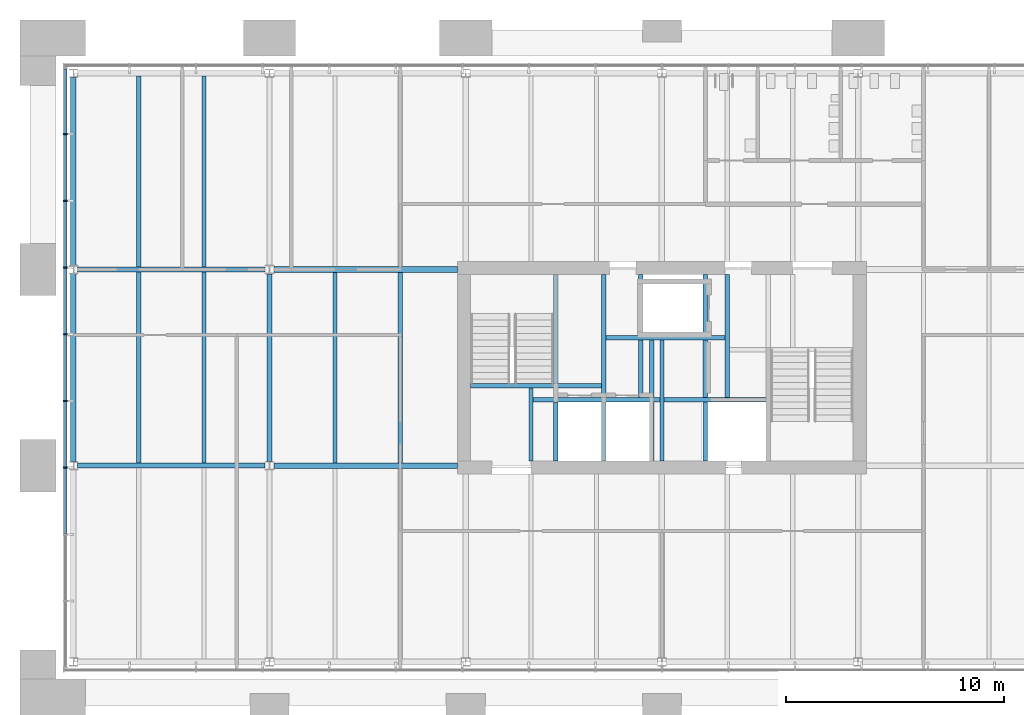
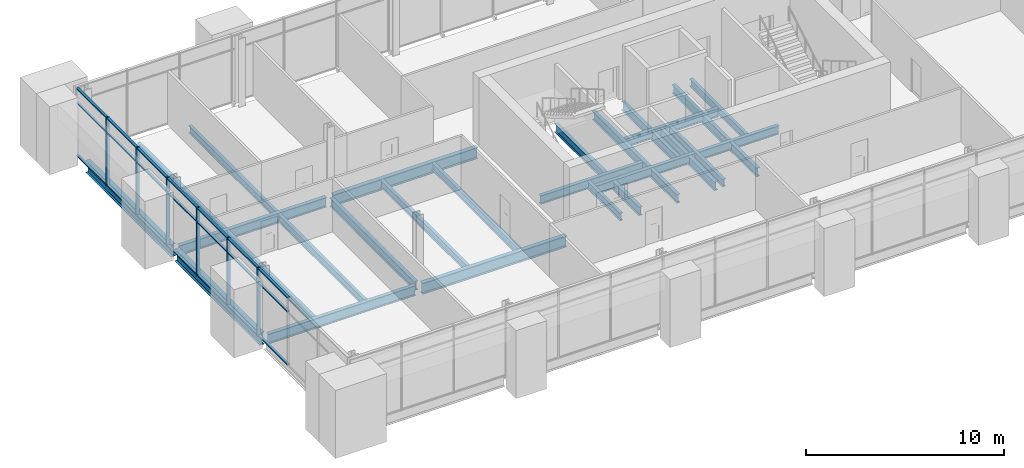
# One storey, part 11 of 43: 31 beams, 27 members, 1 element without a shape of its own.
"""IFC4 building model written with IfcOpenShell, lengths in metres."""

import ifcopenshell
import ifcopenshell.guid

model = None  # the IFC model being written
_history = None  # IfcOwnerHistory: only IFC2X3 demands one
_inside = {}  # id of a spatial element -> (the spatial element, [elements in it])
_under = {}  # id of a project, library or spatial element -> (it, [spatial elements below it])
_declared = {}  # id of a project -> (the project, [libraries it declares])
_typed = {}  # id of a type object -> (the type object, [elements of that type])
_made_of = {}  # id of a material, layer set ... -> (it, [elements and type objects made of it])


def new_model(schema):
    """Start an empty IFC model of exactly this schema.

    Asked for "IFC4X3", IfcOpenShell would pick the latest addendum, in which some entities
    have other attributes; the version numbers below select the first issue.
    IFC2X3 requires an IfcOwnerHistory on every rooted entity: one is made here for all.
    """
    global model, _history
    if schema == "IFC4X3":
        model = ifcopenshell.file(schema_version=(4, 3, 0, 0))
    else:
        model = ifcopenshell.file(schema=schema)
    _inside.clear()
    _under.clear()
    _declared.clear()
    _typed.clear()
    _made_of.clear()
    _history = None
    if model.schema == "IFC2X3":
        org = make("IfcOrganization", Name="unknown")
        user = make(
            "IfcPersonAndOrganization",
            ThePerson=make("IfcPerson", FamilyName="unknown"),
            TheOrganization=org,
        )
        app = make(
            "IfcApplication",
            ApplicationDeveloper=org,
            Version="unknown",
            ApplicationFullName="unknown",
            ApplicationIdentifier="unknown",
        )
        _history = make(
            "IfcOwnerHistory",
            OwningUser=user,
            OwningApplication=app,
            ChangeAction="ADDED",
            CreationDate=0,
        )
    return model


def make(cls, **values):
    """One entity of the class cls with the attributes given. An attribute that is None is left unset."""
    return model.create_entity(
        cls, **{name: value for name, value in values.items() if value is not None}
    )


def rooted(cls, **values):
    """An entity with a GlobalId (a new one), such as an element, a storey or a relation."""
    return make(cls, GlobalId=ifcopenshell.guid.new(), OwnerHistory=_history, **values)


def si_unit(unit_type, name, prefix=None):
    """IfcSIUnit, for example si_unit("LENGTHUNIT", "METRE", prefix="MILLI")."""
    return make("IfcSIUnit", UnitType=unit_type, Prefix=prefix, Name=name)


def assignment(units):
    """IfcUnitAssignment: the units of a project."""
    return None if units is None else make("IfcUnitAssignment", Units=units)


def point(xyz):
    """IfcCartesianPoint."""
    return None if xyz is None else make("IfcCartesianPoint", Coordinates=xyz)


def direction(xyz):
    """IfcDirection."""
    return None if xyz is None else make("IfcDirection", DirectionRatios=xyz)


def frame(location, z_axis=None, x_axis=None):
    """IfcAxis2Placement3D, a coordinate frame: its origin and axes. An axis left out is left unset."""
    return make(
        "IfcAxis2Placement3D",
        Location=point(location),
        Axis=direction(z_axis),
        RefDirection=direction(x_axis),
    )


def frame_2d(location, x_axis=None):
    """IfcAxis2Placement2D, a coordinate frame in the plane: its origin and x axis."""
    return make(
        "IfcAxis2Placement2D", Location=point(location), RefDirection=direction(x_axis)
    )


def origin():
    """The frame at (0, 0, 0) with its axes left unset."""
    return frame((0.0, 0.0, 0.0))


def origin_2d():
    """The frame at (0, 0) in the plane with its x axis left unset."""
    return frame_2d((0.0, 0.0))


def place(relative_to, where):
    """IfcLocalPlacement: puts the frame where relative to a parent placement (None: the world)."""
    return make(
        "IfcLocalPlacement", PlacementRelTo=relative_to, RelativePlacement=where
    )


def context(
    kind, dimensions, precision=None, world=None, true_north=None, identifier=None
):
    """IfcGeometricRepresentationContext, for example the 3D "Model" context."""
    return make(
        "IfcGeometricRepresentationContext",
        ContextIdentifier=identifier,
        ContextType=kind,
        CoordinateSpaceDimension=dimensions,
        Precision=precision,
        WorldCoordinateSystem=world,
        TrueNorth=true_north,
    )


def subcontext(parent, identifier, kind, view, scale=None):
    """IfcGeometricRepresentationSubContext, for example "Body" below "Model"."""
    return make(
        "IfcGeometricRepresentationSubContext",
        ContextIdentifier=identifier,
        ContextType=kind,
        ParentContext=parent,
        TargetScale=scale,
        TargetView=view,
    )


def project(units=None, contexts=None):
    """IfcProject with its units and contexts."""
    return rooted(
        "IfcProject",
        Name="project",
        RepresentationContexts=contexts,
        UnitsInContext=assignment(units),
    )


def spatial(cls, under=None, at=None, **own):
    """A site, building, storey or space (cls), placed at a placement, below another one or the project."""
    s = rooted(cls, ObjectPlacement=at, **own)
    if under is not None:
        _under.setdefault(under.id(), (under, []))[1].append(s)
    return s


def profile(cls, at=None, kind="AREA", **sizes):
    """A parametric profile (cls). Its sizes go by their IFC names, for example OverallWidth=200.0."""
    return make(cls, ProfileType=kind, Position=at, **sizes)


def rectangle(**sizes):
    """IfcRectangleProfileDef."""
    return profile("IfcRectangleProfileDef", **sizes)


def i_section(**sizes):
    """IfcIShapeProfileDef."""
    return profile("IfcIShapeProfileDef", **sizes)


def extrude(swept, where, along, depth):
    """IfcExtrudedAreaSolid: the profile swept, set in the frame where, extruded along a direction by depth."""
    return make(
        "IfcExtrudedAreaSolid",
        SweptArea=swept,
        Position=where,
        ExtrudedDirection=direction(along),
        Depth=depth,
    )


def shape(context_of_items, identifier, shape_type, items):
    """IfcShapeRepresentation: the items that make up one representation, for example the "Body"."""
    return make(
        "IfcShapeRepresentation",
        ContextOfItems=context_of_items,
        RepresentationIdentifier=identifier,
        RepresentationType=shape_type,
        Items=items,
    )


def material(Name=None, Category=None):
    """IfcMaterial."""
    return make("IfcMaterial", Name=Name, Category=Category)


def material_profile(
    of_material, cross_section, Name=None, Category=None, Priority=None
):
    """IfcMaterialProfile: a cross section and its material."""
    return make(
        "IfcMaterialProfile",
        Name=Name,
        Material=of_material,
        Profile=cross_section,
        Priority=Priority,
        Category=Category,
    )


def profile_set(profiles, Name=None, composite=None):
    """IfcMaterialProfileSet."""
    return make(
        "IfcMaterialProfileSet",
        Name=Name,
        MaterialProfiles=profiles,
        CompositeProfile=composite,
    )


def made_of(thing, what):
    """Note that an element or type object is made of a material, layer set ...; save() writes the relation."""
    if what is not None:
        _made_of.setdefault(what.id(), (what, []))[1].append(thing)
    return thing


def type_object(cls, material=None, **own):
    """A type object (cls), such as IfcWallType, which elements share."""
    return made_of(rooted(cls, **own), material)


def element(
    cls,
    number,
    at=None,
    inside=None,
    cuts=None,
    type_object=None,
    material=None,
    context=None,
    identifier="Body",
    shape_type=None,
    held_by="IfcProductDefinitionShape",
    body=None,
    shapes=None,
    **own,
):
    """One element of the class cls, such as IfcWall. Its Tag is "e" and its number.

    at: its placement. inside: the storey or other place that contains it. cuts: it is an
    opening in that element (IfcRelVoidsElement). A single representation is given by context,
    identifier, shape_type and body (its items); several are given by shapes. held_by: the class
    of the entity that holds the representations. save() writes the other relations.
    """
    e = rooted(cls, Tag="e%d" % number, ObjectPlacement=at, **own)
    if body is not None:
        shapes = [shape(context, identifier, shape_type, body)]
    if shapes is not None:
        e.Representation = make(held_by, Representations=shapes)
    if inside is not None:
        _inside.setdefault(inside.id(), (inside, []))[1].append(e)
    if cuts is not None:
        rooted(
            "IfcRelVoidsElement", RelatingBuildingElement=cuts, RelatedOpeningElement=e
        )
    if type_object is not None:
        _typed.setdefault(type_object.id(), (type_object, []))[1].append(e)
    return made_of(e, material)


def aggregate(whole, parts):
    """IfcRelAggregates: a whole, such as a stair, and the parts it consists of."""
    return rooted("IfcRelAggregates", RelatingObject=whole, RelatedObjects=parts)


def save(model, path):
    """Write the relations noted so far, then the file.

    IfcRelAggregates (storeys below a building ...), IfcRelContainedInSpatialStructure (elements
    in a storey), IfcRelDefinesByType, IfcRelAssociatesMaterial and IfcRelDeclares: one each for
    every whole, place, type object, material and project.
    """
    for whole, parts in _under.values():
        aggregate(whole, parts)
    for where, things in _inside.values():
        rooted(
            "IfcRelContainedInSpatialStructure",
            RelatedElements=things,
            RelatingStructure=where,
        )
    for kind, things in _typed.values():
        rooted("IfcRelDefinesByType", RelatedObjects=things, RelatingType=kind)
    for what, things in _made_of.values():
        rooted("IfcRelAssociatesMaterial", RelatedObjects=things, RelatingMaterial=what)
    for by, libraries in _declared.values():
        rooted("IfcRelDeclares", RelatingContext=by, RelatedDefinitions=libraries)
    model.write(path)


model = new_model("IFC4")

# Units and contexts
model_context = context("Model", 3, precision=1e-05, world=origin(), true_north=direction((0.0, 1.0)))
body_context = subcontext(model_context, "Body", "Model", "MODEL_VIEW")
ifc_project = project(units=[si_unit("LENGTHUNIT", "METRE"), si_unit("AREAUNIT", "SQUARE_METRE"), si_unit("VOLUMEUNIT", "CUBIC_METRE"), si_unit("PLANEANGLEUNIT", "RADIAN"), si_unit("MASSUNIT", "GRAM", prefix="KILO")], contexts=[model_context])

# Site, building, storey
site_placement = place(None, origin())
site = spatial("IfcSite", under=ifc_project, at=site_placement, CompositionType="ELEMENT")
building_placement = place(site_placement, origin())
building = spatial("IfcBuilding", under=site, at=building_placement, Name="Baradari Gate Terminus", CompositionType="ELEMENT")
storey_placement = place(building_placement, frame((0.0, 0.0, 20.10009765625)))
storey = spatial("IfcBuildingStorey", under=building, at=storey_placement, Name="L04", CompositionType="ELEMENT", Elevation=20.10009765625)

# Beams
ifc_material_1 = material(Name="Steel S355", Category="steel")
ifc_material_profile_1 = material_profile(ifc_material_1, i_section(OverallWidth=0.19140625, OverallDepth=0.4599609375, WebThickness=0.010009765625, FlangeThickness=0.01611328125, FilletRadius=0.01025390625, at=origin_2d()), Name="UB 457x191x82")
ifc_profile_set_1 = profile_set([ifc_material_profile_1], Name="Steel S355")
beam_type_1 = type_object("IfcBeamType", Name="Core floor beam B23 UB 457x191x82", PredefinedType="BEAM", material=ifc_profile_set_1)
beam_1_placement = place(storey_placement, frame((30.0, 126.22509765625, -0.360107421875), z_axis=(0.0, 1.0, 0.0), x_axis=(-1.0, 0.0, 0.0)))
element("IfcBeam", 1, at=beam_1_placement, inside=storey, type_object=beam_type_1, Name="Core floor beam B23 30:126.225-129.57 L04", PredefinedType="BEAM", context=body_context, shape_type="SweptSolid", body=[
    extrude(i_section(OverallWidth=0.19140625, OverallDepth=0.4599609375, WebThickness=0.010009765625, FlangeThickness=0.01611328125, FilletRadius=0.01025390625, at=origin_2d()), origin(), (0.0, 0.0, 1.0), 3.34521484375),
])
beam_2_placement = place(storey_placement, frame((36.0, 126.22509765625, -0.360107421875), z_axis=(0.0, 1.0, 0.0), x_axis=(-1.0, 0.0, 0.0)))
element("IfcBeam", 2, at=beam_2_placement, inside=storey, type_object=beam_type_1, Name="Core floor beam B23 5:126.225-131.77 L04", PredefinedType="BEAM", context=body_context, shape_type="SweptSolid", body=[
    extrude(i_section(OverallWidth=0.19140625, OverallDepth=0.4599609375, WebThickness=0.010009765625, FlangeThickness=0.01611328125, FilletRadius=0.01025390625, at=origin_2d()), origin(), (0.0, 0.0, 1.0), 5.54541015625),
])
beam_3_placement = place(storey_placement, frame((39.0, 129.129638671875, -0.360107421875), z_axis=(0.0, 1.0, 0.0), x_axis=(-1.0, 0.0, 0.0)))
element("IfcBeam", 3, at=beam_3_placement, inside=storey, type_object=beam_type_1, Name="Core floor beam B23 39:129.13-134.775 L04", PredefinedType="BEAM", context=body_context, shape_type="SweptSolid", body=[
    extrude(i_section(OverallWidth=0.19140625, OverallDepth=0.4599609375, WebThickness=0.010009765625, FlangeThickness=0.01611328125, FilletRadius=0.01025390625, at=origin_2d()), origin(), (0.0, 0.0, 1.0), 5.645263671875),
])
ifc_material_2 = material(Name="Steel S355", Category="steel")
ifc_material_profile_2 = material_profile(ifc_material_2, i_section(OverallWidth=0.209228515625, OverallDepth=0.533203125, WebThickness=0.010009765625, FlangeThickness=0.015625, FilletRadius=0.0126953125, at=origin_2d()), Name="UB 533x210x92")
ifc_profile_set_2 = profile_set([ifc_material_profile_2], Name="Steel S355")
beam_type_2 = type_object("IfcBeamType", Name="Core floor trimmer beam B22 UB 533x210x92", PredefinedType="BEAM", material=ifc_profile_set_2)
beam_4_placement = place(storey_placement, frame((30.095703125, 129.02490234375, -0.396728515625), z_axis=(1.0, 0.0, 0.0), x_axis=(0.0, 1.0, 0.0)))
element("IfcBeam", 4, at=beam_4_placement, inside=storey, type_object=beam_type_2, Name="Core floor trimmer beam B22 129.025:30.096-35.904 L04", PredefinedType="BEAM", context=body_context, shape_type="SweptSolid", body=[
    extrude(i_section(OverallWidth=0.209228515625, OverallDepth=0.533203125, WebThickness=0.010009765625, FlangeThickness=0.015625, FilletRadius=0.0126953125, at=origin_2d()), origin(), (0.0, 0.0, 1.0), 5.80859375),
])
beam_5_placement = place(storey_placement, frame((36.095703125, 129.02490234375, -0.396728515625), z_axis=(1.0, 0.0, 0.0), x_axis=(0.0, 1.0, 0.0)))
element("IfcBeam", 5, at=beam_5_placement, inside=storey, type_object=beam_type_2, Name="Core floor trimmer beam B22 129.025:36.096-40.77 L04", PredefinedType="BEAM", context=body_context, shape_type="SweptSolid", body=[
    extrude(i_section(OverallWidth=0.209228515625, OverallDepth=0.533203125, WebThickness=0.010009765625, FlangeThickness=0.015625, FilletRadius=0.0126953125, at=origin_2d()), origin(), (0.0, 0.0, 1.0), 4.6748046875),
])
beam_6_placement = place(storey_placement, frame((27.22509765625, 129.675048828125, -0.396728515625), z_axis=(1.0, 0.0, 0.0), x_axis=(0.0, 1.0, 0.0)))
element("IfcBeam", 6, at=beam_6_placement, inside=storey, type_object=beam_type_2, Name="Core floor trimmer beam B22 129.675:27.225-33.22 L04", PredefinedType="BEAM", context=body_context, shape_type="SweptSolid", body=[
    extrude(i_section(OverallWidth=0.209228515625, OverallDepth=0.533203125, WebThickness=0.010009765625, FlangeThickness=0.015625, FilletRadius=0.0126953125, at=origin_2d()), origin(), (0.0, 0.0, 1.0), 5.995361328125),
])
beam_7_placement = place(storey_placement, frame((33.4296875, 131.875, -0.396728515625), z_axis=(1.0, 0.0, 0.0), x_axis=(0.0, 1.0, 0.0)))
element("IfcBeam", 7, at=beam_7_placement, inside=storey, type_object=beam_type_2, Name="Core floor trimmer beam B22 131.875:33.43-38.904 L04", PredefinedType="BEAM", context=body_context, shape_type="SweptSolid", body=[
    extrude(i_section(OverallWidth=0.209228515625, OverallDepth=0.533203125, WebThickness=0.010009765625, FlangeThickness=0.015625, FilletRadius=0.0126953125, at=origin_2d()), origin(), (0.0, 0.0, 1.0), 5.474609375),
])
for number, where, z_axis, x_axis, name in (
    (8, (31.125, 126.22509765625, -0.396728515625), (0.0, 1.0, 0.0), (-1.0, 0.0, 0.0), "Core floor trimmer beam B22 31.125:126.225-128.92 L04"),
    (9, (33.324951171875, 126.22509765625, -0.396728515625), (0.0, 1.0, 0.0), (-1.0, 0.0, 0.0), "Core floor trimmer beam B22 33.325:126.225-128.92 L04"),
):
    element("IfcBeam", number, at=place(storey_placement, frame(where, z_axis=z_axis, x_axis=x_axis)), inside=storey, type_object=beam_type_2, Name=name, PredefinedType="BEAM", context=body_context, shape_type="SweptSolid", body=[
        extrude(i_section(OverallWidth=0.209228515625, OverallDepth=0.533203125, WebThickness=0.010009765625, FlangeThickness=0.015625, FilletRadius=0.0126953125, at=origin_2d()), origin(), (0.0, 0.0, 1.0), 2.6953125),
    ])
beam_8_placement = place(storey_placement, frame((33.324951171875, 129.129638671875, -0.396728515625), z_axis=(0.0, 1.0, 0.0), x_axis=(-1.0, 0.0, 0.0)))
element("IfcBeam", 10, at=beam_8_placement, inside=storey, type_object=beam_type_2, Name="Core floor trimmer beam B22 33.325:129.13-134.775 L04", PredefinedType="BEAM", context=body_context, shape_type="SweptSolid", body=[
    extrude(i_section(OverallWidth=0.209228515625, OverallDepth=0.533203125, WebThickness=0.010009765625, FlangeThickness=0.015625, FilletRadius=0.0126953125, at=origin_2d()), origin(), (0.0, 0.0, 1.0), 5.645263671875),
])
beam_9_placement = place(storey_placement, frame((35.530029296875, 126.22509765625, -0.396728515625), z_axis=(0.0, 1.0, 0.0), x_axis=(-1.0, 0.0, 0.0)))
element("IfcBeam", 11, at=beam_9_placement, inside=storey, type_object=beam_type_2, Name="Core floor trimmer beam B22 35.53:126.225-128.92 L04", PredefinedType="BEAM", context=body_context, shape_type="SweptSolid", body=[
    extrude(i_section(OverallWidth=0.209228515625, OverallDepth=0.533203125, WebThickness=0.010009765625, FlangeThickness=0.015625, FilletRadius=0.0126953125, at=origin_2d()), origin(), (0.0, 0.0, 1.0), 2.6953125),
])
beam_10_placement = place(storey_placement, frame((35.530029296875, 129.129638671875, -0.396728515625), z_axis=(0.0, 1.0, 0.0), x_axis=(-1.0, 0.0, 0.0)))
element("IfcBeam", 12, at=beam_10_placement, inside=storey, type_object=beam_type_2, Name="Core floor trimmer beam B22 35.53:129.13-131.77 L04", PredefinedType="BEAM", context=body_context, shape_type="SweptSolid", body=[
    extrude(i_section(OverallWidth=0.209228515625, OverallDepth=0.533203125, WebThickness=0.010009765625, FlangeThickness=0.015625, FilletRadius=0.0126953125, at=origin_2d()), origin(), (0.0, 0.0, 1.0), 2.640869140625),
])
beam_11_placement = place(storey_placement, frame((37.97802734375, 126.22509765625, -0.396728515625), z_axis=(0.0, 1.0, 0.0), x_axis=(-1.0, 0.0, 0.0)))
element("IfcBeam", 13, at=beam_11_placement, inside=storey, type_object=beam_type_2, Name="Core floor trimmer beam B22 37.978:126.225-128.92 L04", PredefinedType="BEAM", context=body_context, shape_type="SweptSolid", body=[
    extrude(i_section(OverallWidth=0.209228515625, OverallDepth=0.533203125, WebThickness=0.010009765625, FlangeThickness=0.015625, FilletRadius=0.0126953125, at=origin_2d()), origin(), (0.0, 0.0, 1.0), 2.6953125),
])
beam_12_placement = place(storey_placement, frame((31.125, 129.77978515625, -0.396728515625), z_axis=(0.0, 1.0, 0.0), x_axis=(-1.0, 0.0, 0.0)))
element("IfcBeam", 14, at=beam_12_placement, inside=storey, type_object=beam_type_2, Name="Core floor trimmer beam B22 31.125:129.78-134.775 L04", PredefinedType="BEAM", context=body_context, shape_type="SweptSolid", body=[
    extrude(i_section(OverallWidth=0.209228515625, OverallDepth=0.533203125, WebThickness=0.010009765625, FlangeThickness=0.015625, FilletRadius=0.0126953125, at=origin_2d()), origin(), (0.0, 0.0, 1.0), 4.9951171875),
])
beam_13_placement = place(storey_placement, frame((35.02001953125, 129.129638671875, -0.396728515625), z_axis=(0.0, 1.0, 0.0), x_axis=(-1.0, 0.0, 0.0)))
element("IfcBeam", 15, at=beam_13_placement, inside=storey, type_object=beam_type_2, Name="Core floor trimmer beam B22 35.02:129.13-131.77 L04", PredefinedType="BEAM", context=body_context, shape_type="SweptSolid", body=[
    extrude(i_section(OverallWidth=0.209228515625, OverallDepth=0.533203125, WebThickness=0.010009765625, FlangeThickness=0.015625, FilletRadius=0.0126953125, at=origin_2d()), origin(), (0.0, 0.0, 1.0), 2.640869140625),
])
beam_14_placement = place(storey_placement, frame((35.02001953125, 131.9794921875, -0.396728515625), z_axis=(0.0, 1.0, 0.0), x_axis=(-1.0, 0.0, 0.0)))
element("IfcBeam", 16, at=beam_14_placement, inside=storey, type_object=beam_type_2, Name="Core floor trimmer beam B22 35.02:131.98-134.775 L04", PredefinedType="BEAM", context=body_context, shape_type="SweptSolid", body=[
    extrude(i_section(OverallWidth=0.209228515625, OverallDepth=0.533203125, WebThickness=0.010009765625, FlangeThickness=0.015625, FilletRadius=0.0126953125, at=origin_2d()), origin(), (0.0, 0.0, 1.0), 2.79541015625),
])
beam_15_placement = place(storey_placement, frame((37.97802734375, 129.129638671875, -0.396728515625), z_axis=(0.0, 1.0, 0.0), x_axis=(-1.0, 0.0, 0.0)))
element("IfcBeam", 17, at=beam_15_placement, inside=storey, type_object=beam_type_2, Name="Core floor trimmer beam B22 37.978:129.13-131.77 L04", PredefinedType="BEAM", context=body_context, shape_type="SweptSolid", body=[
    extrude(i_section(OverallWidth=0.209228515625, OverallDepth=0.533203125, WebThickness=0.010009765625, FlangeThickness=0.015625, FilletRadius=0.0126953125, at=origin_2d()), origin(), (0.0, 0.0, 1.0), 2.640869140625),
])
beam_16_placement = place(storey_placement, frame((37.97802734375, 131.9794921875, -0.396728515625), z_axis=(0.0, 1.0, 0.0), x_axis=(-1.0, 0.0, 0.0)))
element("IfcBeam", 18, at=beam_16_placement, inside=storey, type_object=beam_type_2, Name="Core floor trimmer beam B22 37.978:131.98-134.775 L04", PredefinedType="BEAM", context=body_context, shape_type="SweptSolid", body=[
    extrude(i_section(OverallWidth=0.209228515625, OverallDepth=0.533203125, WebThickness=0.010009765625, FlangeThickness=0.015625, FilletRadius=0.0126953125, at=origin_2d()), origin(), (0.0, 0.0, 1.0), 2.79541015625),
])

# Curtain wall, members
ifc_material_3 = material(Name="Aluminium 6063-T6", Category="aluminium")
curtain_wall_type = type_object("IfcCurtainWallType", Name="Curtain wall CW-1 block unitised, zone L02-L05", PredefinedType="NOTDEFINED", material=ifc_material_3)
curtain_wall_placement = place(storey_placement, origin())
curtain_wall = element("IfcCurtainWall", 19, at=curtain_wall_placement, inside=storey, type_object=curtain_wall_type, Name="Curtain wall CW-1 Operations block W face L04", PredefinedType="NOTDEFINED")
ifc_material_4 = material(Name="Aluminium 6063-T6", Category="aluminium")
ifc_material_profile_3 = material_profile(ifc_material_4, rectangle(XDim=0.199951171875, YDim=0.06494140625, at=origin_2d()), Name="CM-1 65X200")
ifc_profile_set_3 = profile_set([ifc_material_profile_3], Name="Aluminium 6063-T6")
member_type_1 = type_object("IfcMemberType", Name="Curtain wall mullion CM-1 65x200", PredefinedType="MULLION", material=ifc_profile_set_3)
member_1_placement = place(storey_placement, frame((8.6298828125, 125.909912109375, 0.0), z_axis=(0.0, 0.0, 1.0), x_axis=(-1.0, 0.0, 0.0)))
member_1 = element("IfcMember", 20, at=member_1_placement, type_object=member_type_1, Name="CW-1 mullion 4", PredefinedType="MULLION", context=body_context, shape_type="SweptSolid", body=[
    extrude(rectangle(XDim=0.199951171875, YDim=0.06494140625, at=origin_2d()), origin(), (0.0, 0.0, 1.0), 4.199951171875),
])
member_2_placement = place(storey_placement, frame((8.6298828125, 128.969970703125, 0.0), z_axis=(0.0, 0.0, 1.0), x_axis=(-1.0, 0.0, 0.0)))
member_2 = element("IfcMember", 21, at=member_2_placement, type_object=member_type_1, Name="CW-1 mullion 5", PredefinedType="MULLION", context=body_context, shape_type="SweptSolid", body=[
    extrude(rectangle(XDim=0.199951171875, YDim=0.06494140625, at=origin_2d()), origin(), (0.0, 0.0, 1.0), 4.199951171875),
])
member_3_placement = place(storey_placement, frame((8.6298828125, 132.030029296875, 0.0), z_axis=(0.0, 0.0, 1.0), x_axis=(-1.0, 0.0, 0.0)))
member_3 = element("IfcMember", 22, at=member_3_placement, type_object=member_type_1, Name="CW-1 mullion 6", PredefinedType="MULLION", context=body_context, shape_type="SweptSolid", body=[
    extrude(rectangle(XDim=0.199951171875, YDim=0.06494140625, at=origin_2d()), origin(), (0.0, 0.0, 1.0), 4.199951171875),
])
member_4_placement = place(storey_placement, frame((8.6298828125, 135.090087890625, 0.0), z_axis=(0.0, 0.0, 1.0), x_axis=(-1.0, 0.0, 0.0)))
member_4 = element("IfcMember", 23, at=member_4_placement, type_object=member_type_1, Name="CW-1 mullion 7", PredefinedType="MULLION", context=body_context, shape_type="SweptSolid", body=[
    extrude(rectangle(XDim=0.199951171875, YDim=0.06494140625, at=origin_2d()), origin(), (0.0, 0.0, 1.0), 4.199951171875),
])
member_5_placement = place(storey_placement, frame((8.6298828125, 138.14990234375, 0.0), z_axis=(0.0, 0.0, 1.0), x_axis=(-1.0, 0.0, 0.0)))
member_5 = element("IfcMember", 24, at=member_5_placement, type_object=member_type_1, Name="CW-1 mullion 8", PredefinedType="MULLION", context=body_context, shape_type="SweptSolid", body=[
    extrude(rectangle(XDim=0.199951171875, YDim=0.06494140625, at=origin_2d()), origin(), (0.0, 0.0, 1.0), 4.199951171875),
])
member_6_placement = place(storey_placement, frame((8.6298828125, 141.2099609375, 0.0), z_axis=(0.0, 0.0, 1.0), x_axis=(-1.0, 0.0, 0.0)))
member_6 = element("IfcMember", 25, at=member_6_placement, type_object=member_type_1, Name="CW-1 mullion 9", PredefinedType="MULLION", context=body_context, shape_type="SweptSolid", body=[
    extrude(rectangle(XDim=0.199951171875, YDim=0.06494140625, at=origin_2d()), origin(), (0.0, 0.0, 1.0), 4.199951171875),
])
ifc_material_5 = material(Name="Aluminium 6063-T6", Category="aluminium")
ifc_material_profile_4 = material_profile(ifc_material_5, rectangle(XDim=0.14990234375, YDim=0.06494140625, at=origin_2d()), Name="CT-1 65X150")
ifc_profile_set_4 = profile_set([ifc_material_profile_4], Name="Aluminium 6063-T6")
member_type_2 = type_object("IfcMemberType", Name="Curtain wall transom CT-1 65x150", PredefinedType="USERDEFINED", material=ifc_profile_set_4)
member_7_placement = place(storey_placement, frame((8.6298828125, 122.882568359375, 0.032470703125), z_axis=(0.0, 1.0, 0.0), x_axis=(-1.0, 0.0, 0.0)))
member_7 = element("IfcMember", 26, at=member_7_placement, type_object=member_type_2, Name="CW-1 transom 3.1", ObjectType="TRANSOM", PredefinedType="USERDEFINED", context=body_context, shape_type="SweptSolid", body=[
    extrude(rectangle(XDim=0.14990234375, YDim=0.06494140625, at=origin_2d()), origin(), (0.0, 0.0, 1.0), 2.994873046875),
])
member_8_placement = place(storey_placement, frame((8.6298828125, 122.882568359375, 3.2998046875), z_axis=(0.0, 1.0, 0.0), x_axis=(-1.0, 0.0, 0.0)))
member_8 = element("IfcMember", 27, at=member_8_placement, type_object=member_type_2, Name="CW-1 transom 3.2", ObjectType="TRANSOM", PredefinedType="USERDEFINED", context=body_context, shape_type="SweptSolid", body=[
    extrude(rectangle(XDim=0.14990234375, YDim=0.06494140625, at=origin_2d()), origin(), (0.0, 0.0, 1.0), 2.994873046875),
])
member_9_placement = place(storey_placement, frame((8.6298828125, 122.882568359375, 4.16748046875), z_axis=(0.0, 1.0, 0.0), x_axis=(-1.0, 0.0, 0.0)))
member_9 = element("IfcMember", 28, at=member_9_placement, type_object=member_type_2, Name="CW-1 transom 3.3", ObjectType="TRANSOM", PredefinedType="USERDEFINED", context=body_context, shape_type="SweptSolid", body=[
    extrude(rectangle(XDim=0.14990234375, YDim=0.06494140625, at=origin_2d()), origin(), (0.0, 0.0, 1.0), 2.994873046875),
])
member_10_placement = place(storey_placement, frame((8.6298828125, 125.9423828125, 0.032470703125), z_axis=(0.0, 1.0, 0.0), x_axis=(-1.0, 0.0, 0.0)))
member_10 = element("IfcMember", 29, at=member_10_placement, type_object=member_type_2, Name="CW-1 transom 4.1", ObjectType="TRANSOM", PredefinedType="USERDEFINED", context=body_context, shape_type="SweptSolid", body=[
    extrude(rectangle(XDim=0.14990234375, YDim=0.06494140625, at=origin_2d()), origin(), (0.0, 0.0, 1.0), 2.9951171875),
])
member_11_placement = place(storey_placement, frame((8.6298828125, 125.9423828125, 3.2998046875), z_axis=(0.0, 1.0, 0.0), x_axis=(-1.0, 0.0, 0.0)))
member_11 = element("IfcMember", 30, at=member_11_placement, type_object=member_type_2, Name="CW-1 transom 4.2", ObjectType="TRANSOM", PredefinedType="USERDEFINED", context=body_context, shape_type="SweptSolid", body=[
    extrude(rectangle(XDim=0.14990234375, YDim=0.06494140625, at=origin_2d()), origin(), (0.0, 0.0, 1.0), 2.9951171875),
])
member_12_placement = place(storey_placement, frame((8.6298828125, 125.9423828125, 4.16748046875), z_axis=(0.0, 1.0, 0.0), x_axis=(-1.0, 0.0, 0.0)))
member_12 = element("IfcMember", 31, at=member_12_placement, type_object=member_type_2, Name="CW-1 transom 4.3", ObjectType="TRANSOM", PredefinedType="USERDEFINED", context=body_context, shape_type="SweptSolid", body=[
    extrude(rectangle(XDim=0.14990234375, YDim=0.06494140625, at=origin_2d()), origin(), (0.0, 0.0, 1.0), 2.9951171875),
])
member_13_placement = place(storey_placement, frame((8.6298828125, 129.00244140625, 0.032470703125), z_axis=(0.0, 1.0, 0.0), x_axis=(-1.0, 0.0, 0.0)))
member_13 = element("IfcMember", 32, at=member_13_placement, type_object=member_type_2, Name="CW-1 transom 5.1", ObjectType="TRANSOM", PredefinedType="USERDEFINED", context=body_context, shape_type="SweptSolid", body=[
    extrude(rectangle(XDim=0.14990234375, YDim=0.06494140625, at=origin_2d()), origin(), (0.0, 0.0, 1.0), 2.9951171875),
])
member_14_placement = place(storey_placement, frame((8.6298828125, 129.00244140625, 3.2998046875), z_axis=(0.0, 1.0, 0.0), x_axis=(-1.0, 0.0, 0.0)))
member_14 = element("IfcMember", 33, at=member_14_placement, type_object=member_type_2, Name="CW-1 transom 5.2", ObjectType="TRANSOM", PredefinedType="USERDEFINED", context=body_context, shape_type="SweptSolid", body=[
    extrude(rectangle(XDim=0.14990234375, YDim=0.06494140625, at=origin_2d()), origin(), (0.0, 0.0, 1.0), 2.9951171875),
])
member_15_placement = place(storey_placement, frame((8.6298828125, 129.00244140625, 4.16748046875), z_axis=(0.0, 1.0, 0.0), x_axis=(-1.0, 0.0, 0.0)))
member_15 = element("IfcMember", 34, at=member_15_placement, type_object=member_type_2, Name="CW-1 transom 5.3", ObjectType="TRANSOM", PredefinedType="USERDEFINED", context=body_context, shape_type="SweptSolid", body=[
    extrude(rectangle(XDim=0.14990234375, YDim=0.06494140625, at=origin_2d()), origin(), (0.0, 0.0, 1.0), 2.9951171875),
])
member_16_placement = place(storey_placement, frame((8.6298828125, 132.0625, 0.032470703125), z_axis=(0.0, 1.0, 0.0), x_axis=(-1.0, 0.0, 0.0)))
member_16 = element("IfcMember", 35, at=member_16_placement, type_object=member_type_2, Name="CW-1 transom 6.1", ObjectType="TRANSOM", PredefinedType="USERDEFINED", context=body_context, shape_type="SweptSolid", body=[
    extrude(rectangle(XDim=0.14990234375, YDim=0.06494140625, at=origin_2d()), origin(), (0.0, 0.0, 1.0), 2.9951171875),
])
member_17_placement = place(storey_placement, frame((8.6298828125, 132.0625, 3.2998046875), z_axis=(0.0, 1.0, 0.0), x_axis=(-1.0, 0.0, 0.0)))
member_17 = element("IfcMember", 36, at=member_17_placement, type_object=member_type_2, Name="CW-1 transom 6.2", ObjectType="TRANSOM", PredefinedType="USERDEFINED", context=body_context, shape_type="SweptSolid", body=[
    extrude(rectangle(XDim=0.14990234375, YDim=0.06494140625, at=origin_2d()), origin(), (0.0, 0.0, 1.0), 2.9951171875),
])
member_18_placement = place(storey_placement, frame((8.6298828125, 132.0625, 4.16748046875), z_axis=(0.0, 1.0, 0.0), x_axis=(-1.0, 0.0, 0.0)))
member_18 = element("IfcMember", 37, at=member_18_placement, type_object=member_type_2, Name="CW-1 transom 6.3", ObjectType="TRANSOM", PredefinedType="USERDEFINED", context=body_context, shape_type="SweptSolid", body=[
    extrude(rectangle(XDim=0.14990234375, YDim=0.06494140625, at=origin_2d()), origin(), (0.0, 0.0, 1.0), 2.9951171875),
])
member_19_placement = place(storey_placement, frame((8.6298828125, 135.12255859375, 0.032470703125), z_axis=(0.0, 1.0, 0.0), x_axis=(-1.0, 0.0, 0.0)))
member_19 = element("IfcMember", 38, at=member_19_placement, type_object=member_type_2, Name="CW-1 transom 7.1", ObjectType="TRANSOM", PredefinedType="USERDEFINED", context=body_context, shape_type="SweptSolid", body=[
    extrude(rectangle(XDim=0.14990234375, YDim=0.06494140625, at=origin_2d()), origin(), (0.0, 0.0, 1.0), 2.994873046875),
])
member_20_placement = place(storey_placement, frame((8.6298828125, 135.12255859375, 3.2998046875), z_axis=(0.0, 1.0, 0.0), x_axis=(-1.0, 0.0, 0.0)))
member_20 = element("IfcMember", 39, at=member_20_placement, type_object=member_type_2, Name="CW-1 transom 7.2", ObjectType="TRANSOM", PredefinedType="USERDEFINED", context=body_context, shape_type="SweptSolid", body=[
    extrude(rectangle(XDim=0.14990234375, YDim=0.06494140625, at=origin_2d()), origin(), (0.0, 0.0, 1.0), 2.994873046875),
])
member_21_placement = place(storey_placement, frame((8.6298828125, 135.12255859375, 4.16748046875), z_axis=(0.0, 1.0, 0.0), x_axis=(-1.0, 0.0, 0.0)))
member_21 = element("IfcMember", 40, at=member_21_placement, type_object=member_type_2, Name="CW-1 transom 7.3", ObjectType="TRANSOM", PredefinedType="USERDEFINED", context=body_context, shape_type="SweptSolid", body=[
    extrude(rectangle(XDim=0.14990234375, YDim=0.06494140625, at=origin_2d()), origin(), (0.0, 0.0, 1.0), 2.994873046875),
])
member_22_placement = place(storey_placement, frame((8.6298828125, 138.1826171875, 0.032470703125), z_axis=(0.0, 1.0, 0.0), x_axis=(-1.0, 0.0, 0.0)))
member_22 = element("IfcMember", 41, at=member_22_placement, type_object=member_type_2, Name="CW-1 transom 8.1", ObjectType="TRANSOM", PredefinedType="USERDEFINED", context=body_context, shape_type="SweptSolid", body=[
    extrude(rectangle(XDim=0.14990234375, YDim=0.06494140625, at=origin_2d()), origin(), (0.0, 0.0, 1.0), 2.994873046875),
])
member_23_placement = place(storey_placement, frame((8.6298828125, 138.1826171875, 3.2998046875), z_axis=(0.0, 1.0, 0.0), x_axis=(-1.0, 0.0, 0.0)))
member_23 = element("IfcMember", 42, at=member_23_placement, type_object=member_type_2, Name="CW-1 transom 8.2", ObjectType="TRANSOM", PredefinedType="USERDEFINED", context=body_context, shape_type="SweptSolid", body=[
    extrude(rectangle(XDim=0.14990234375, YDim=0.06494140625, at=origin_2d()), origin(), (0.0, 0.0, 1.0), 2.994873046875),
])
member_24_placement = place(storey_placement, frame((8.6298828125, 138.1826171875, 4.16748046875), z_axis=(0.0, 1.0, 0.0), x_axis=(-1.0, 0.0, 0.0)))
member_24 = element("IfcMember", 43, at=member_24_placement, type_object=member_type_2, Name="CW-1 transom 8.3", ObjectType="TRANSOM", PredefinedType="USERDEFINED", context=body_context, shape_type="SweptSolid", body=[
    extrude(rectangle(XDim=0.14990234375, YDim=0.06494140625, at=origin_2d()), origin(), (0.0, 0.0, 1.0), 2.994873046875),
])
member_25_placement = place(storey_placement, frame((8.6298828125, 141.242431640625, 0.032470703125), z_axis=(0.0, 1.0, 0.0), x_axis=(-1.0, 0.0, 0.0)))
member_25 = element("IfcMember", 44, at=member_25_placement, type_object=member_type_2, Name="CW-1 transom 9.1", ObjectType="TRANSOM", PredefinedType="USERDEFINED", context=body_context, shape_type="SweptSolid", body=[
    extrude(rectangle(XDim=0.14990234375, YDim=0.06494140625, at=origin_2d()), origin(), (0.0, 0.0, 1.0), 2.962646484375),
])
member_26_placement = place(storey_placement, frame((8.6298828125, 141.242431640625, 3.2998046875), z_axis=(0.0, 1.0, 0.0), x_axis=(-1.0, 0.0, 0.0)))
member_26 = element("IfcMember", 45, at=member_26_placement, type_object=member_type_2, Name="CW-1 transom 9.2", ObjectType="TRANSOM", PredefinedType="USERDEFINED", context=body_context, shape_type="SweptSolid", body=[
    extrude(rectangle(XDim=0.14990234375, YDim=0.06494140625, at=origin_2d()), origin(), (0.0, 0.0, 1.0), 2.962646484375),
])
member_27_placement = place(storey_placement, frame((8.6298828125, 141.242431640625, 4.16748046875), z_axis=(0.0, 1.0, 0.0), x_axis=(-1.0, 0.0, 0.0)))
member_27 = element("IfcMember", 46, at=member_27_placement, type_object=member_type_2, Name="CW-1 transom 9.3", ObjectType="TRANSOM", PredefinedType="USERDEFINED", context=body_context, shape_type="SweptSolid", body=[
    extrude(rectangle(XDim=0.14990234375, YDim=0.06494140625, at=origin_2d()), origin(), (0.0, 0.0, 1.0), 2.962646484375),
])
aggregate(curtain_wall, [member_1, member_2, member_3, member_4, member_5, member_6, member_7, member_8, member_9, member_10, member_11, member_12, member_13, member_14, member_15, member_16, member_17, member_18, member_19, member_20, member_21, member_22, member_23, member_24, member_25, member_26, member_27])

# Beams
ifc_material_6 = material(Name="Steel S355", Category="steel")
ifc_material_profile_5 = material_profile(ifc_material_6, i_section(OverallWidth=0.25439453125, OverallDepth=0.6875, WebThickness=0.01318359375, FlangeThickness=0.02099609375, FilletRadius=0.01513671875, at=origin_2d()), Name="UB 686x254x152")
ifc_profile_set_5 = profile_set([ifc_material_profile_5], Name="Steel S355")
beam_type_3 = type_object("IfcBeamType", Name="Operations block coupling beam B26 UB 686x254x152", PredefinedType="BEAM", material=ifc_profile_set_5)
for number, where, z_axis, x_axis, name in (
    (47, (18.201416015625, 126.0, -0.473876953125), (1.0, 0.0, 0.0), (0.0, 1.0, 0.0), "Operations block coupling beam B26 Q:18.201-26.625 L04"),
    (48, (18.201416015625, 135.0, -0.473876953125), (1.0, 0.0, 0.0), (0.0, 1.0, 0.0), "Operations block coupling beam B26 R:18.201-26.625 L04"),
):
    element("IfcBeam", number, at=place(storey_placement, frame(where, z_axis=z_axis, x_axis=x_axis)), inside=storey, type_object=beam_type_3, Name=name, PredefinedType="BEAM", context=body_context, shape_type="SweptSolid", body=[
        extrude(i_section(OverallWidth=0.25439453125, OverallDepth=0.6875, WebThickness=0.01318359375, FlangeThickness=0.02099609375, FilletRadius=0.01513671875, at=origin_2d()), origin(), (0.0, 0.0, 1.0), 8.423583984375),
    ])
ifc_material_7 = material(Name="Steel S355", Category="steel")
ifc_material_profile_6 = material_profile(ifc_material_7, i_section(OverallWidth=0.22900390625, OverallDepth=0.6123046875, WebThickness=0.011962890625, FlangeThickness=0.01953125, FilletRadius=0.0126953125, at=origin_2d()), Name="UB 610x229x125")
ifc_profile_set_6 = profile_set([ifc_material_profile_6], Name="Steel S355")
beam_type_4 = type_object("IfcBeamType", Name="Operations block girder B25 UB 610x229x125", PredefinedType="BEAM", material=ifc_profile_set_6)
for number, where, z_axis, x_axis, name in (
    (49, (9.197509765625, 126.0, -0.436279296875), (1.0, 0.0, 0.0), (0.0, 1.0, 0.0), "Operations block girder B25 Q:9.197-17.799 L04"),
    (50, (9.197509765625, 135.0, -0.436279296875), (1.0, 0.0, 0.0), (0.0, 1.0, 0.0), "Operations block girder B25 R:9.197-17.799 L04"),
):
    element("IfcBeam", number, at=place(storey_placement, frame(where, z_axis=z_axis, x_axis=x_axis)), inside=storey, type_object=beam_type_4, Name=name, PredefinedType="BEAM", context=body_context, shape_type="SweptSolid", body=[
        extrude(i_section(OverallWidth=0.22900390625, OverallDepth=0.6123046875, WebThickness=0.011962890625, FlangeThickness=0.01953125, FilletRadius=0.0126953125, at=origin_2d()), origin(), (0.0, 0.0, 1.0), 8.60107421875),
    ])
ifc_material_8 = material(Name="Steel S355", Category="steel")
ifc_material_profile_7 = material_profile(ifc_material_8, i_section(OverallWidth=0.210693359375, OverallDepth=0.53955078125, WebThickness=0.01171875, FlangeThickness=0.018798828125, FilletRadius=0.0126953125, at=origin_2d()), Name="UB 533x210x109")
ifc_profile_set_7 = profile_set([ifc_material_profile_7], Name="Steel S355")
beam_type_5 = type_object("IfcBeamType", Name="Operations block girder B29 UB 533x210x109", PredefinedType="BEAM", material=ifc_profile_set_7)
beam_17_placement = place(storey_placement, frame((18.0, 126.203125, -0.39990234375), z_axis=(0.0, 1.0, 0.0), x_axis=(-1.0, 0.0, 0.0)))
element("IfcBeam", 51, at=beam_17_placement, inside=storey, type_object=beam_type_5, Name="Operations block girder B29 3:126.203-134.797 L04", PredefinedType="BEAM", context=body_context, shape_type="SweptSolid", body=[
    extrude(i_section(OverallWidth=0.210693359375, OverallDepth=0.53955078125, WebThickness=0.01171875, FlangeThickness=0.018798828125, FilletRadius=0.0126953125, at=origin_2d()), origin(), (0.0, 0.0, 1.0), 8.59375),
])
ifc_material_9 = material(Name="Steel S355", Category="steel")
ifc_material_profile_8 = material_profile(ifc_material_9, i_section(OverallWidth=0.2666015625, OverallDepth=0.76220703125, WebThickness=0.014404296875, FlangeThickness=0.021484375, FilletRadius=0.0166015625, at=origin_2d()), Name="UB 762x267x173")
ifc_profile_set_8 = profile_set([ifc_material_profile_8], Name="Steel S355")
beam_type_6 = type_object("IfcBeamType", Name="Operations block moment frame beam B24 UB 762x267x173", PredefinedType="BEAM", material=ifc_profile_set_8)
for number, where, z_axis, x_axis, name in (
    (52, (9.0, 126.1904296875, -0.51123046875), (0.0, 1.0, 0.0), (-1.0, 0.0, 0.0), "Operations block moment frame beam B24 2:126.191-134.81 L04"),
    (53, (9.0, 135.1904296875, -0.51123046875), (0.0, 1.0, 0.0), (-1.0, 0.0, 0.0), "Operations block moment frame beam B24 2:135.19-143.81 L04"),
):
    element("IfcBeam", number, at=place(storey_placement, frame(where, z_axis=z_axis, x_axis=x_axis)), inside=storey, type_object=beam_type_6, Name=name, PredefinedType="BEAM", context=body_context, shape_type="SweptSolid", body=[
        extrude(i_section(OverallWidth=0.2666015625, OverallDepth=0.76220703125, WebThickness=0.014404296875, FlangeThickness=0.021484375, FilletRadius=0.0166015625, at=origin_2d()), origin(), (0.0, 0.0, 1.0), 8.619140625),
    ])
ifc_material_10 = material(Name="Steel S355", Category="steel")
ifc_material_profile_9 = material_profile(ifc_material_10, i_section(OverallWidth=0.18994140625, OverallDepth=0.453369140625, WebThickness=0.008544921875, FlangeThickness=0.0126953125, FilletRadius=0.01025390625, at=origin_2d()), Name="UB 457x191x67")
ifc_profile_set_9 = profile_set([ifc_material_profile_9], Name="Steel S355")
beam_type_7 = type_object("IfcBeamType", Name="Operations block secondary beam B28 UB 457x191x67", PredefinedType="BEAM", material=ifc_profile_set_9)
beam_18_placement = place(storey_placement, frame((12.0, 126.114501953125, -0.356689453125), z_axis=(0.0, 1.0, 0.0), x_axis=(-1.0, 0.0, 0.0)))
element("IfcBeam", 54, at=beam_18_placement, inside=storey, type_object=beam_type_7, Name="Operations block secondary beam B28 12:126.115-134.886 L04", PredefinedType="BEAM", context=body_context, shape_type="SweptSolid", body=[
    extrude(i_section(OverallWidth=0.18994140625, OverallDepth=0.453369140625, WebThickness=0.008544921875, FlangeThickness=0.0126953125, FilletRadius=0.01025390625, at=origin_2d()), origin(), (0.0, 0.0, 1.0), 8.77099609375),
])
beam_19_placement = place(storey_placement, frame((12.0, 135.114501953125, -0.356689453125), z_axis=(0.0, 1.0, 0.0), x_axis=(-1.0, 0.0, 0.0)))
element("IfcBeam", 55, at=beam_19_placement, inside=storey, type_object=beam_type_7, Name="Operations block secondary beam B28 12:135.114-143.867 L04", PredefinedType="BEAM", context=body_context, shape_type="SweptSolid", body=[
    extrude(i_section(OverallWidth=0.18994140625, OverallDepth=0.453369140625, WebThickness=0.008544921875, FlangeThickness=0.0126953125, FilletRadius=0.01025390625, at=origin_2d()), origin(), (0.0, 0.0, 1.0), 8.752197265625),
])
beam_20_placement = place(storey_placement, frame((15.0, 126.114501953125, -0.356689453125), z_axis=(0.0, 1.0, 0.0), x_axis=(-1.0, 0.0, 0.0)))
element("IfcBeam", 56, at=beam_20_placement, inside=storey, type_object=beam_type_7, Name="Operations block secondary beam B28 15:126.115-134.886 L04", PredefinedType="BEAM", context=body_context, shape_type="SweptSolid", body=[
    extrude(i_section(OverallWidth=0.18994140625, OverallDepth=0.453369140625, WebThickness=0.008544921875, FlangeThickness=0.0126953125, FilletRadius=0.01025390625, at=origin_2d()), origin(), (0.0, 0.0, 1.0), 8.77099609375),
])
beam_21_placement = place(storey_placement, frame((15.0, 135.114501953125, -0.356689453125), z_axis=(0.0, 1.0, 0.0), x_axis=(-1.0, 0.0, 0.0)))
element("IfcBeam", 57, at=beam_21_placement, inside=storey, type_object=beam_type_7, Name="Operations block secondary beam B28 15:135.114-143.867 L04", PredefinedType="BEAM", context=body_context, shape_type="SweptSolid", body=[
    extrude(i_section(OverallWidth=0.18994140625, OverallDepth=0.453369140625, WebThickness=0.008544921875, FlangeThickness=0.0126953125, FilletRadius=0.01025390625, at=origin_2d()), origin(), (0.0, 0.0, 1.0), 8.752197265625),
])
for number, where, z_axis, x_axis, name in (
    (58, (21.0, 126.127197265625, -0.356689453125), (0.0, 1.0, 0.0), (-1.0, 0.0, 0.0), "Operations block secondary beam B28 21:126.127-134.873 L04"),
    (59, (24.0, 126.127197265625, -0.356689453125), (0.0, 1.0, 0.0), (-1.0, 0.0, 0.0), "Operations block secondary beam B28 24:126.127-134.873 L04"),
):
    element("IfcBeam", number, at=place(storey_placement, frame(where, z_axis=z_axis, x_axis=x_axis)), inside=storey, type_object=beam_type_7, Name=name, PredefinedType="BEAM", context=body_context, shape_type="SweptSolid", body=[
        extrude(i_section(OverallWidth=0.18994140625, OverallDepth=0.453369140625, WebThickness=0.008544921875, FlangeThickness=0.0126953125, FilletRadius=0.01025390625, at=origin_2d()), origin(), (0.0, 0.0, 1.0), 8.74560546875),
    ])

save(model, "model.ifc")
